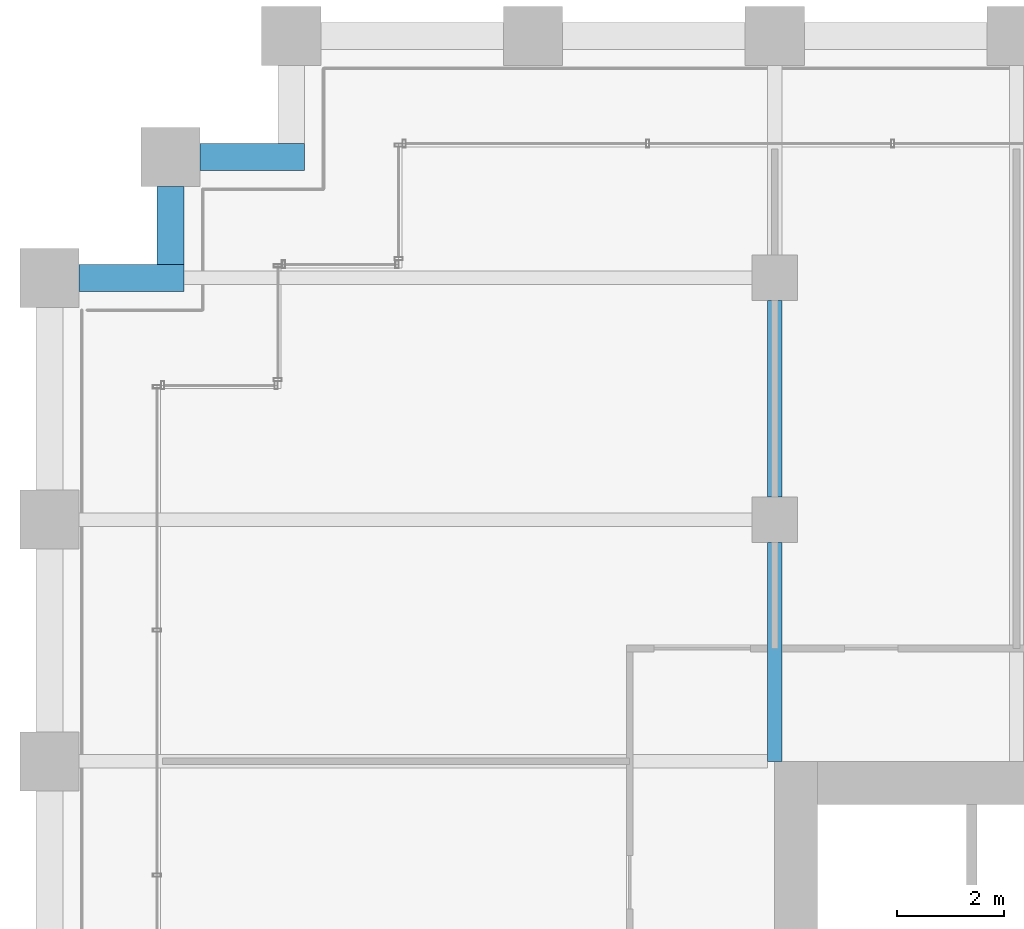
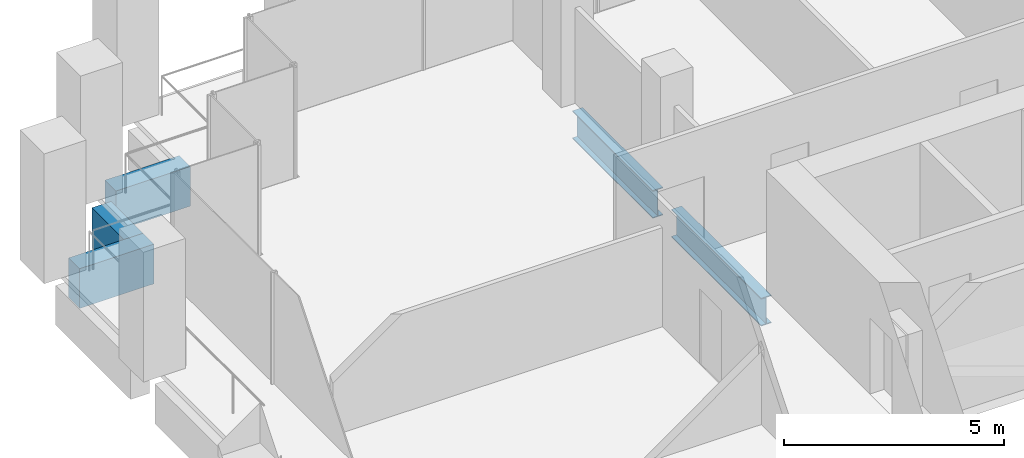
# One storey, part 25 of 56: 5 beams.
"""IFC4 building model written with IfcOpenShell, lengths in metres."""

from ifc_helpers import new_model, si_unit, direction, frame, origin, origin_2d, place, context, subcontext, project, spatial, rectangle, i_section, extrude, material, material_profile, profile_set, type_object, element, save


model = new_model("IFC4")

# Units and contexts
model_context = context("Model", 3, precision=1e-05, world=origin(), true_north=direction((0.0, 1.0)))
body_context = subcontext(model_context, "Body", "Model", "MODEL_VIEW")
ifc_project = project(units=[si_unit("LENGTHUNIT", "METRE"), si_unit("AREAUNIT", "SQUARE_METRE"), si_unit("VOLUMEUNIT", "CUBIC_METRE"), si_unit("PLANEANGLEUNIT", "RADIAN"), si_unit("MASSUNIT", "GRAM", prefix="KILO")], contexts=[model_context])

# Site, building, storey
site_placement = place(None, origin())
site = spatial("IfcSite", under=ifc_project, at=site_placement, CompositionType="ELEMENT")
building_placement = place(site_placement, origin())
building = spatial("IfcBuilding", under=site, at=building_placement, Name="Altepetl Exchange Towers", CompositionType="ELEMENT")
storey_placement = place(building_placement, frame((0.0, 0.0, 54.60009765625)))
storey = spatial("IfcBuildingStorey", under=building, at=storey_placement, Name="L12", CompositionType="ELEMENT", Elevation=54.60009765625)

# Beams
ifc_material_1 = material(Name="Steel S355", Category="steel")
ifc_material_profile_1 = material_profile(ifc_material_1, i_section(OverallWidth=0.26806640625, OverallDepth=0.77392578125, WebThickness=0.015380859375, FlangeThickness=0.025390625, at=origin_2d()), Name="W30X132")
ifc_profile_set_1 = profile_set([ifc_material_profile_1], Name="Steel S355")
beam_type_1 = type_object("IfcBeamType", Name="Girder W30X132", PredefinedType="BEAM", material=ifc_profile_set_1)
beam_1_placement = place(storey_placement, frame((40.5, 67.074951171875, -0.537109375), z_axis=(0.0, -1.0, 0.0), x_axis=(1.0, 0.0, 0.0)))
element("IfcBeam", 1, at=beam_1_placement, inside=storey, type_object=beam_type_1, Name="gd:A:L12:004", PredefinedType="BEAM", context=body_context, shape_type="SweptSolid", body=[
    extrude(i_section(OverallWidth=0.26806640625, OverallDepth=0.77392578125, WebThickness=0.015380859375, FlangeThickness=0.025390625, at=origin_2d()), origin(), (0.0, 0.0, 1.0), 3.64990234375),
])
beam_2_placement = place(storey_placement, frame((40.5, 62.574951171875, -0.537109375), z_axis=(0.0, -1.0, 0.0), x_axis=(1.0, 0.0, 0.0)))
element("IfcBeam", 2, at=beam_2_placement, inside=storey, type_object=beam_type_1, Name="gd:A:L12:005", PredefinedType="BEAM", context=body_context, shape_type="SweptSolid", body=[
    extrude(i_section(OverallWidth=0.26806640625, OverallDepth=0.77392578125, WebThickness=0.015380859375, FlangeThickness=0.025390625, at=origin_2d()), origin(), (0.0, 0.0, 1.0), 4.074951171875),
])
ifc_material_2 = material(Name="Concrete C50/60 precast with tezontle facing", Category="concrete")
ifc_material_profile_2 = material_profile(ifc_material_2, rectangle(XDim=0.5, YDim=1.10009765625, at=origin_2d()), Name="500 x 1100")
ifc_profile_set_2 = profile_set([ifc_material_profile_2], Name="Concrete C50/60 precast with tezontle facing")
beam_type_2 = type_object("IfcBeamType", Name="Spandrel beam 500x1100 tezontle", PredefinedType="SPANDREL", material=ifc_profile_set_2)
beam_3_placement = place(storey_placement, frame((31.75, 69.75, -0.7001953125), z_axis=(-1.0, 0.0, 0.0), x_axis=(0.0, -1.0, 0.0)))
element("IfcBeam", 3, at=beam_3_placement, inside=storey, type_object=beam_type_2, Name="sp:A:L12:033", PredefinedType="SPANDREL", context=body_context, shape_type="SweptSolid", body=[
    extrude(rectangle(XDim=0.5, YDim=1.10009765625, at=origin_2d()), origin(), (0.0, 0.0, 1.0), 1.949951171875),
])
beam_4_placement = place(storey_placement, frame((29.25, 69.199951171875, -0.7001953125), z_axis=(0.0, -1.0, 0.0), x_axis=(1.0, 0.0, 0.0)))
element("IfcBeam", 4, at=beam_4_placement, inside=storey, type_object=beam_type_2, Name="sp:A:L12:034", PredefinedType="SPANDREL", context=body_context, shape_type="SweptSolid", body=[
    extrude(rectangle(XDim=0.5, YDim=1.10009765625, at=origin_2d()), origin(), (0.0, 0.0, 1.0), 1.449951171875),
])
beam_5_placement = place(storey_placement, frame((29.5, 67.5, -0.7001953125), z_axis=(-1.0, 0.0, 0.0), x_axis=(0.0, -1.0, 0.0)))
element("IfcBeam", 5, at=beam_5_placement, inside=storey, type_object=beam_type_2, Name="sp:A:L12:035", PredefinedType="SPANDREL", context=body_context, shape_type="SweptSolid", body=[
    extrude(rectangle(XDim=0.5, YDim=1.10009765625, at=origin_2d()), origin(), (0.0, 0.0, 1.0), 1.949951171875),
])

save(model, "model.ifc")
